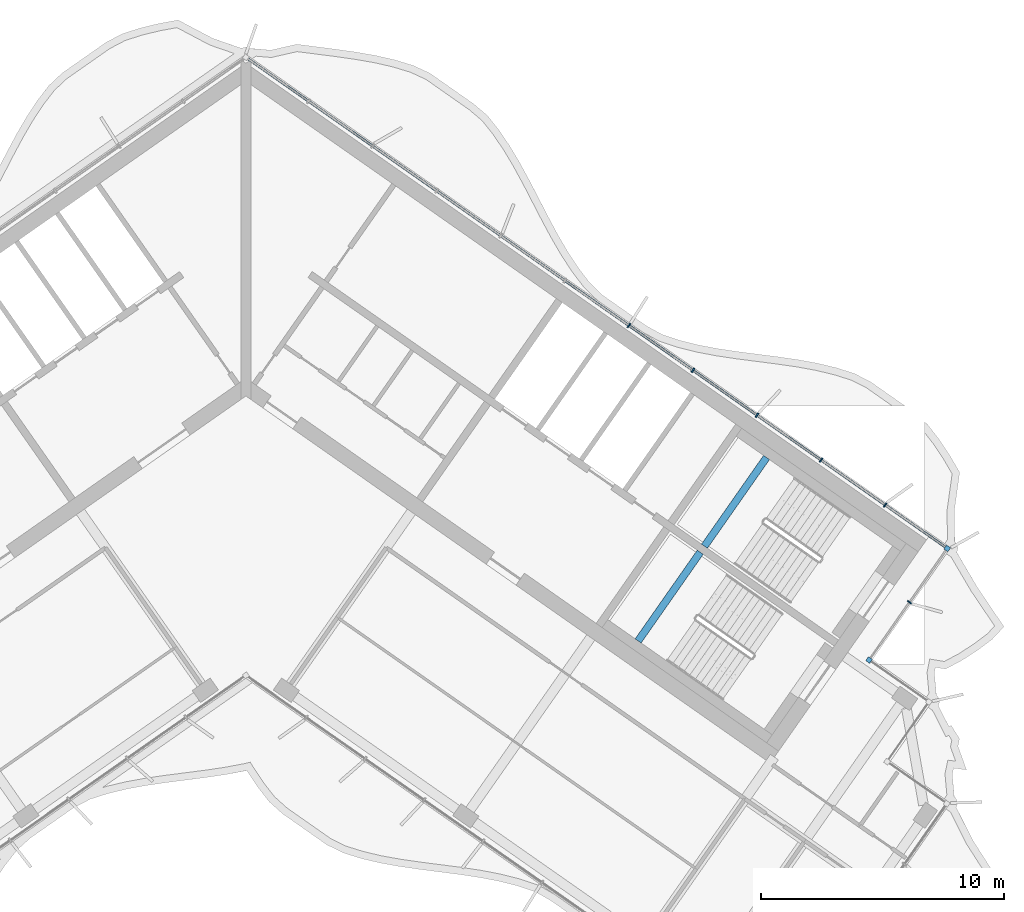
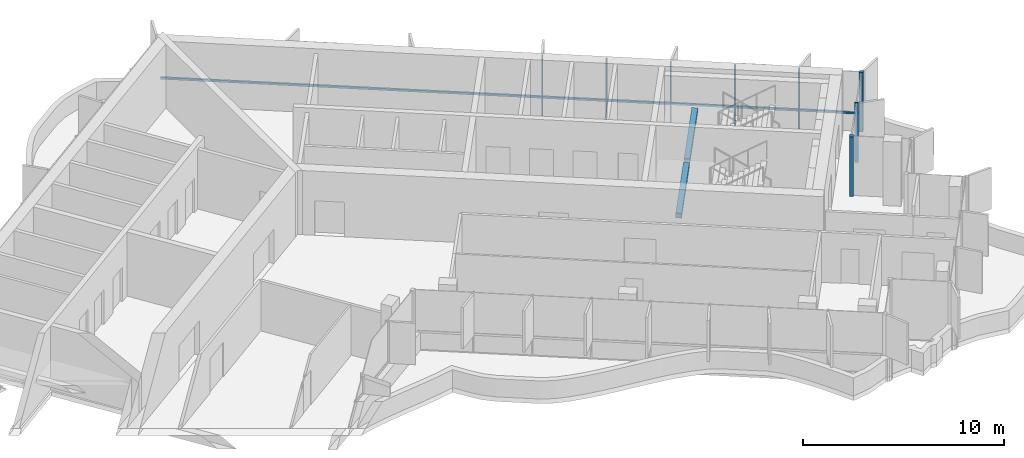
# One storey, part 5 of 17: 9 members, 2 beams, 1 element without a shape of its own.
"""IFC4 building model written with IfcOpenShell, lengths in metres."""

from ifc_helpers import new_model, si_unit, direction, frame, origin, origin_2d, place, context, subcontext, project, spatial, rectangle, extrude, material, material_profile, profile_set, type_object, element, aggregate, save


model = new_model("IFC4")

# Units and contexts
model_context = context("Model", 3, precision=1e-05, world=origin(), true_north=direction((0.0, 1.0)))
body_context = subcontext(model_context, "Body", "Model", "MODEL_VIEW")
ifc_project = project(units=[si_unit("LENGTHUNIT", "METRE"), si_unit("AREAUNIT", "SQUARE_METRE"), si_unit("VOLUMEUNIT", "CUBIC_METRE"), si_unit("PLANEANGLEUNIT", "RADIAN"), si_unit("MASSUNIT", "GRAM", prefix="KILO")], contexts=[model_context])

# Site, building, storey
site_placement = place(None, origin())
site = spatial("IfcSite", under=ifc_project, at=site_placement, CompositionType="ELEMENT")
building_placement = place(site_placement, origin())
building = spatial("IfcBuilding", under=site, at=building_placement, Name="Tel Ilan Convention Tower", CompositionType="ELEMENT")
storey_placement = place(building_placement, frame((0.0, 0.0, 287.800048828125)))
storey = spatial("IfcBuildingStorey", under=building, at=storey_placement, Name="L68", CompositionType="ELEMENT", Elevation=287.800048828125)

# Curtain wall, members
ifc_material_1 = material(Name="Aluminium, bronze anodised", Category="aluminium")
curtain_wall_type = type_object("IfcCurtainWallType", Name="CW2 STICK CURTAIN WALL, SPANDREL PANELS", PredefinedType="NOTDEFINED", material=ifc_material_1)
curtain_wall_placement = place(storey_placement, origin())
curtain_wall = element("IfcCurtainWall", 1, at=curtain_wall_placement, inside=storey, type_object=curtain_wall_type, Name="Curtain wall CW2-51.01", PredefinedType="NOTDEFINED")
ifc_material_2 = material(Name="Aluminium, bronze anodised", Category="aluminium")
ifc_material_profile_1 = material_profile(ifc_material_2, rectangle(XDim=0.199951171875, YDim=0.199951171875, at=origin_2d()), Name="CW CORNER MULLION 200x200")
ifc_profile_set_1 = profile_set([ifc_material_profile_1], Name="Aluminium, bronze anodised")
member_type_1 = type_object("IfcMemberType", Name="CW CORNER MULLION 200x200", PredefinedType="MULLION", material=ifc_profile_set_1)
member_1_placement = place(storey_placement, frame((25.607421875, -12.07080078125, 0.0), z_axis=(0.0, 0.0, 1.0), x_axis=(-0.819152044289, 0.573576436351, 0.0)))
member_1 = element("IfcMember", 2, at=member_1_placement, type_object=member_type_1, Name="Corner mullion", PredefinedType="MULLION", context=body_context, shape_type="SweptSolid", body=[
    extrude(rectangle(XDim=0.199951171875, YDim=0.199951171875, at=origin_2d()), origin(), (0.0, 0.0, 1.0), 3.619873046875),
])
member_2_placement = place(storey_placement, frame((28.819580078125, -7.483642578125, 0.0), z_axis=(0.0, 0.0, 1.0), x_axis=(0.573576436351, 0.819152044289, 0.0)))
member_2 = element("IfcMember", 3, at=member_2_placement, type_object=member_type_1, Name="Corner mullion", PredefinedType="MULLION", context=body_context, shape_type="SweptSolid", body=[
    extrude(rectangle(XDim=0.199951171875, YDim=0.199951171875, at=origin_2d()), origin(), (0.0, 0.0, 1.0), 3.619873046875),
])
ifc_material_3 = material(Name="Aluminium, bronze anodised", Category="aluminium")
ifc_material_profile_2 = material_profile(ifc_material_3, rectangle(XDim=0.06005859375, YDim=0.199951171875, at=origin_2d()), Name="CW MULLION 60x200")
ifc_profile_set_2 = profile_set([ifc_material_profile_2], Name="Aluminium, bronze anodised")
member_type_2 = type_object("IfcMemberType", Name="CW MULLION 60x200", PredefinedType="MULLION", material=ifc_profile_set_2)
member_3_placement = place(storey_placement, frame((27.27099609375, -9.6953125, 0.0), z_axis=(0.0, 0.0, 1.0), x_axis=(0.573576436351, 0.819152044289, 0.0)))
member_3 = element("IfcMember", 4, at=member_3_placement, type_object=member_type_2, Name="Mullion", PredefinedType="MULLION", context=body_context, shape_type="SweptSolid", body=[
    extrude(rectangle(XDim=0.06005859375, YDim=0.199951171875, at=origin_2d()), origin(), (0.0, 0.0, 1.0), 3.619873046875),
])
member_4_placement = place(storey_placement, frame((26.268798828125, -5.697509765625, 0.0), z_axis=(0.0, 0.0, 1.0), x_axis=(-0.819152044289, 0.573576436351, 0.0)))
member_4 = element("IfcMember", 5, at=member_4_placement, type_object=member_type_2, Name="Mullion", PredefinedType="MULLION", context=body_context, shape_type="SweptSolid", body=[
    extrude(rectangle(XDim=0.06005859375, YDim=0.199951171875, at=origin_2d()), origin(), (0.0, 0.0, 1.0), 3.619873046875),
])
member_5_placement = place(storey_placement, frame((23.63623046875, -3.854248046875, 0.0), z_axis=(0.0, 0.0, 1.0), x_axis=(-0.819152044289, 0.573576436351, 0.0)))
member_5 = element("IfcMember", 6, at=member_5_placement, type_object=member_type_2, Name="Mullion", PredefinedType="MULLION", context=body_context, shape_type="SweptSolid", body=[
    extrude(rectangle(XDim=0.06005859375, YDim=0.199951171875, at=origin_2d()), origin(), (0.0, 0.0, 1.0), 3.619873046875),
])
member_6_placement = place(storey_placement, frame((21.003662109375, -2.0107421875, 0.0), z_axis=(0.0, 0.0, 1.0), x_axis=(-0.819152044289, 0.573576436351, 0.0)))
member_6 = element("IfcMember", 7, at=member_6_placement, type_object=member_type_2, Name="Mullion", PredefinedType="MULLION", context=body_context, shape_type="SweptSolid", body=[
    extrude(rectangle(XDim=0.06005859375, YDim=0.199951171875, at=origin_2d()), origin(), (0.0, 0.0, 1.0), 3.619873046875),
])
member_7_placement = place(storey_placement, frame((18.37109375, -0.16748046875, 0.0), z_axis=(0.0, 0.0, 1.0), x_axis=(-0.819152044289, 0.573576436351, 0.0)))
member_7 = element("IfcMember", 8, at=member_7_placement, type_object=member_type_2, Name="Mullion", PredefinedType="MULLION", context=body_context, shape_type="SweptSolid", body=[
    extrude(rectangle(XDim=0.06005859375, YDim=0.199951171875, at=origin_2d()), origin(), (0.0, 0.0, 1.0), 3.619873046875),
])
member_8_placement = place(storey_placement, frame((15.73828125, 1.676025390625, 0.0), z_axis=(0.0, 0.0, 1.0), x_axis=(-0.819152044289, 0.573576436351, 0.0)))
member_8 = element("IfcMember", 9, at=member_8_placement, type_object=member_type_2, Name="Mullion", PredefinedType="MULLION", context=body_context, shape_type="SweptSolid", body=[
    extrude(rectangle(XDim=0.06005859375, YDim=0.199951171875, at=origin_2d()), origin(), (0.0, 0.0, 1.0), 3.619873046875),
])
ifc_material_4 = material(Name="Aluminium, bronze anodised", Category="aluminium")
ifc_material_profile_3 = material_profile(ifc_material_4, rectangle(XDim=0.10009765625, YDim=0.1201171875, at=origin_2d()), Name="CW TRANSOM 100x120")
ifc_profile_set_3 = profile_set([ifc_material_profile_3], Name="Aluminium, bronze anodised")
member_type_3 = type_object("IfcMemberType", Name="CW TRANSOM 100x120", PredefinedType="USERDEFINED", material=ifc_profile_set_3)
member_9_placement = place(storey_placement, frame((28.737548828125, -7.42626953125, 1.099853515625), z_axis=(-0.819150201937, 0.573579067494, 0.0), x_axis=(-0.573579067494, -0.819150201937, 0.0)))
member_9 = element("IfcMember", 10, at=member_9_placement, type_object=member_type_3, Name="Transom", ObjectType="TRANSOM", PredefinedType="USERDEFINED", context=body_context, shape_type="SweptSolid", body=[
    extrude(rectangle(XDim=0.10009765625, YDim=0.1201171875, at=origin_2d()), origin(), (0.0, 0.0, 1.0), 34.9521484375),
])
aggregate(curtain_wall, [member_1, member_3, member_2, member_4, member_5, member_6, member_7, member_8, member_9])

# Beams
ifc_material_5 = material(Name="Concrete C40/50", Category="concrete")
ifc_material_profile_4 = material_profile(ifc_material_5, rectangle(XDim=0.300048828125, YDim=0.300048828125, at=origin_2d()), Name="RC 300x300")
ifc_profile_set_4 = profile_set([ifc_material_profile_4], Name="Concrete C40/50")
beam_type = type_object("IfcBeamType", Name="Landing Beam RC 300x300 Concrete C40/50", PredefinedType="BEAM", material=ifc_profile_set_4)
beam_1_placement = place(storey_placement, frame((21.39404296875, -3.7490234375, 1.599853515625), z_axis=(-0.573547030514, -0.819172633691, 0.0), x_axis=(0.819172633691, -0.573547030514, 0.0)))
element("IfcBeam", 11, at=beam_1_placement, inside=storey, type_object=beam_type, Name="S3 landing beam L68.1", PredefinedType="BEAM", context=body_context, shape_type="SweptSolid", body=[
    extrude(rectangle(XDim=0.300048828125, YDim=0.300048828125, at=origin_2d()), origin(), (0.0, 0.0, 1.0), 4.449951171875),
])
beam_2_placement = place(storey_placement, frame((18.669677734375, -7.64013671875, 1.599853515625), z_axis=(-0.573583844845, -0.819146856756, 0.0), x_axis=(0.819146856756, -0.573583844845, 0.0)))
element("IfcBeam", 12, at=beam_2_placement, inside=storey, type_object=beam_type, Name="S4 landing beam L68.1", PredefinedType="BEAM", context=body_context, shape_type="SweptSolid", body=[
    extrude(rectangle(XDim=0.300048828125, YDim=0.300048828125, at=origin_2d()), origin(), (0.0, 0.0, 1.0), 4.4501953125),
])

save(model, "model.ifc")
